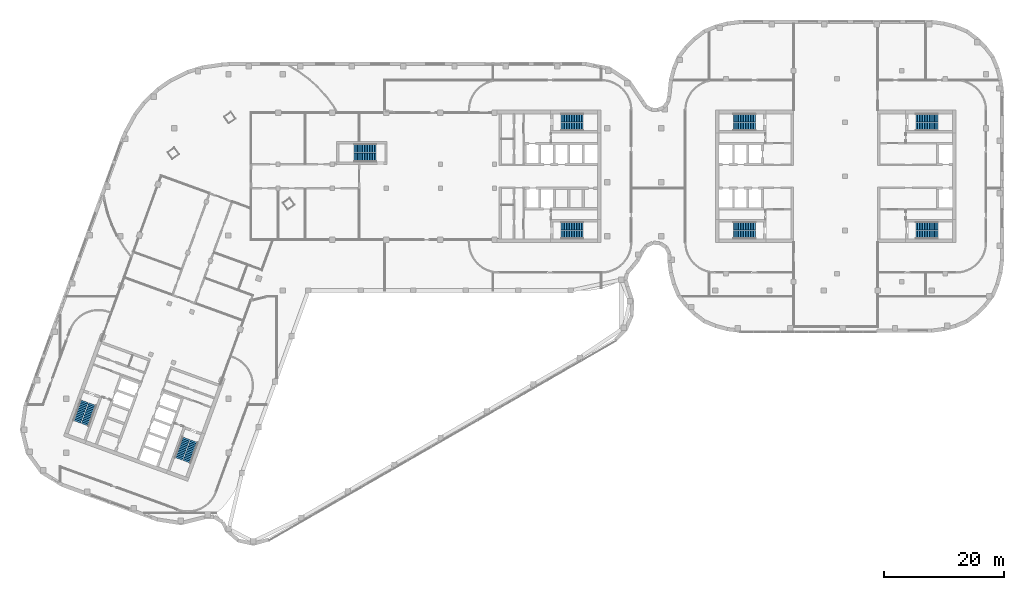
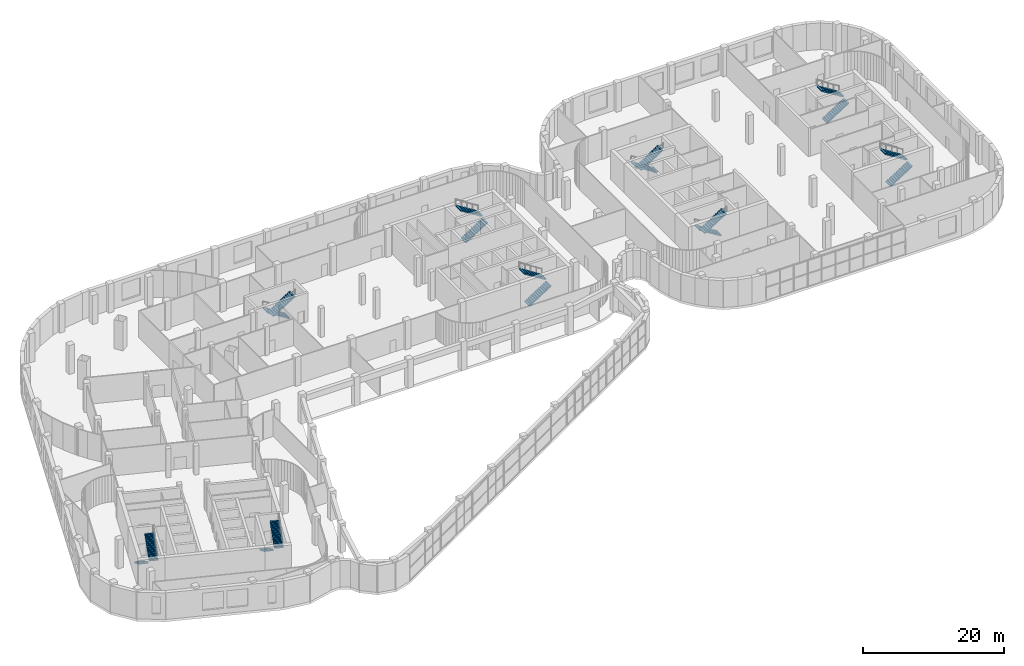
# One storey, part 23 of 25: 18 stair flights, 9 elements without a shape of their own.
"""IFC4 building model written with IfcOpenShell, lengths in metres."""

from ifc_helpers import new_model, si_unit, direction, frame, origin, place, context, subcontext, project, spatial, polyline, outline, extrude, material, type_object, element, aggregate, save


model = new_model("IFC4")

# Units and contexts
model_context = context("Model", 3, precision=1e-05, world=origin(), true_north=direction((0.0, 1.0)))
body_context = subcontext(model_context, "Body", "Model", "MODEL_VIEW")
ifc_project = project(units=[si_unit("LENGTHUNIT", "METRE"), si_unit("AREAUNIT", "SQUARE_METRE"), si_unit("VOLUMEUNIT", "CUBIC_METRE"), si_unit("PLANEANGLEUNIT", "RADIAN"), si_unit("MASSUNIT", "GRAM", prefix="KILO")], contexts=[model_context])

# Site, building, storey
site_placement = place(None, origin())
site = spatial("IfcSite", under=ifc_project, at=site_placement, CompositionType="ELEMENT")
building_placement = place(site_placement, origin())
building = spatial("IfcBuilding", under=site, at=building_placement, Name="Skarvind Civic Tower", CompositionType="ELEMENT")
storey_placement = place(building_placement, frame((0.0, 0.0, 7.5)))
storey = spatial("IfcBuildingStorey", under=building, at=storey_placement, Name="L01", CompositionType="ELEMENT", Elevation=7.5)

# Stair, stair flights
ifc_material = material(Name="Concrete C40/50", Category="concrete")
stair_type_1 = type_object("IfcStairType", Name="Exit stair 1450, half-turn, concrete", PredefinedType="HALF_TURN_STAIR", material=ifc_material)
stair_1_placement = place(storey_placement, origin())
stair_1 = element("IfcStair", 1, at=stair_1_placement, inside=storey, type_object=stair_type_1, Name="Exit stair CM", PredefinedType="HALF_TURN_STAIR")
stair_flight_type_1 = type_object("IfcStairFlightType", Name="Stair flight 1450, concrete", PredefinedType="STRAIGHT", material=ifc_material)
stair_flight_1_placement = place(storey_placement, frame((70.550048828125, 132.675048828125, 0.0), z_axis=(0.0, 0.0, 1.0), x_axis=(-1.0, 0.0, 0.0)))
stair_flight_1 = element("IfcStairFlight", 2, at=stair_flight_1_placement, type_object=stair_flight_type_1, Name="ST-CM flight 1", NumberOfRisers=14, NumberOfTreads=13, PredefinedType="STRAIGHT", RiserHeight=0.178571429, TreadLength=0.28, context=body_context, shape_type="SweptSolid", body=[
    extrude(outline(polyline([(0.0, 0.0), (0.0, 0.178466796875), (0.280029296875, 0.178466796875), (0.280029296875, 0.357177734375), (0.56005859375, 0.357177734375), (0.56005859375, 0.53564453125), (0.840087890625, 0.53564453125), (0.840087890625, 0.71435546875), (1.1201171875, 0.71435546875), (1.1201171875, 0.892822265625), (1.39990234375, 0.892822265625), (1.39990234375, 1.071533203125), (1.679931640625, 1.071533203125), (1.679931640625, 1.25), (1.9599609375, 1.25), (1.9599609375, 1.428466796875), (2.239990234375, 1.428466796875), (2.239990234375, 1.607177734375), (2.52001953125, 1.607177734375), (2.52001953125, 1.78564453125), (2.800048828125, 1.78564453125), (2.800048828125, 1.96435546875), (3.080078125, 1.96435546875), (3.080078125, 2.142822265625), (3.360107421875, 2.142822265625), (3.360107421875, 2.321533203125), (3.639892578125, 2.321533203125), (3.639892578125, 2.5), (3.639892578125, 2.1435546875), (0.27880859375, 0.0), (0.0, 0.0)])), frame((0.0, 0.72509765625, 0.0), z_axis=(0.0, -1.0, 0.0), x_axis=(1.0, 0.0, 0.0)), (0.0, 0.0, 1.0), 1.449951171875),
])
stair_flight_2_placement = place(storey_placement, frame((66.909912109375, 131.125, 2.5), z_axis=(0.0, 0.0, 1.0), x_axis=(1.0, 0.0, 0.0)))
stair_flight_2 = element("IfcStairFlight", 3, at=stair_flight_2_placement, type_object=stair_flight_type_1, Name="ST-CM flight 2", NumberOfRisers=14, NumberOfTreads=13, PredefinedType="STRAIGHT", RiserHeight=0.178571429, TreadLength=0.28, context=body_context, shape_type="SweptSolid", body=[
    extrude(outline(polyline([(0.0, 0.0), (0.0, 0.178466796875), (0.280029296875, 0.178466796875), (0.280029296875, 0.357177734375), (0.56005859375, 0.357177734375), (0.56005859375, 0.53564453125), (0.840087890625, 0.53564453125), (0.840087890625, 0.71435546875), (1.1201171875, 0.71435546875), (1.1201171875, 0.892822265625), (1.39990234375, 0.892822265625), (1.39990234375, 1.071533203125), (1.679931640625, 1.071533203125), (1.679931640625, 1.25), (1.9599609375, 1.25), (1.9599609375, 1.428466796875), (2.239990234375, 1.428466796875), (2.239990234375, 1.607177734375), (2.52001953125, 1.607177734375), (2.52001953125, 1.78564453125), (2.800048828125, 1.78564453125), (2.800048828125, 1.96435546875), (3.080078125, 1.96435546875), (3.080078125, 2.142822265625), (3.360107421875, 2.142822265625), (3.360107421875, 2.321533203125), (3.639892578125, 2.321533203125), (3.639892578125, 2.5), (3.639892578125, 2.1435546875), (0.27880859375, 0.0), (0.0, 0.0)])), frame((0.0, 0.72509765625, 0.0), z_axis=(0.0, -1.0, 0.0), x_axis=(1.0, 0.0, 0.0)), (0.0, 0.0, 1.0), 1.449951171875),
])
aggregate(stair_1, [stair_flight_1, stair_flight_2])

stair_type_2 = type_object("IfcStairType", Name="Exit stair, half-turn, concrete", PredefinedType="HALF_TURN_STAIR", material=ifc_material)
stair_2_placement = place(storey_placement, origin())
stair_2 = element("IfcStair", 4, at=stair_2_placement, inside=storey, type_object=stair_type_2, Name="Exit stair C1S", PredefinedType="HALF_TURN_STAIR")
stair_flight_type_2 = type_object("IfcStairFlightType", Name="Stair flight, concrete", PredefinedType="STRAIGHT", material=ifc_material)
stair_flight_3_placement = place(storey_placement, frame((101.35009765625, 136.27490234375, 0.0), z_axis=(0.0, 0.0, 1.0), x_axis=(1.0, 0.0, 0.0)))
stair_flight_3 = element("IfcStairFlight", 5, at=stair_flight_3_placement, type_object=stair_flight_type_2, Name="ST-C1S flight 1", NumberOfRisers=14, NumberOfTreads=13, PredefinedType="STRAIGHT", RiserHeight=0.178571429, TreadLength=0.28, context=body_context, shape_type="SweptSolid", body=[
    extrude(outline(polyline([(0.0, 0.0), (0.0, 0.178466796875), (0.280029296875, 0.178466796875), (0.280029296875, 0.357177734375), (0.56005859375, 0.357177734375), (0.56005859375, 0.53564453125), (0.840087890625, 0.53564453125), (0.840087890625, 0.71435546875), (1.1201171875, 0.71435546875), (1.1201171875, 0.892822265625), (1.39990234375, 0.892822265625), (1.39990234375, 1.071533203125), (1.679931640625, 1.071533203125), (1.679931640625, 1.25), (1.9599609375, 1.25), (1.9599609375, 1.428466796875), (2.239990234375, 1.428466796875), (2.239990234375, 1.607177734375), (2.52001953125, 1.607177734375), (2.52001953125, 1.78564453125), (2.800048828125, 1.78564453125), (2.800048828125, 1.96435546875), (3.080078125, 1.96435546875), (3.080078125, 2.142822265625), (3.360107421875, 2.142822265625), (3.360107421875, 2.321533203125), (3.639892578125, 2.321533203125), (3.639892578125, 2.5), (3.639892578125, 2.1435546875), (0.27880859375, 0.0), (0.0, 0.0)])), frame((0.0, 0.675048828125, 0.0), z_axis=(0.0, -1.0, 0.0), x_axis=(1.0, 0.0, 0.0)), (0.0, 0.0, 1.0), 1.35009765625),
])
stair_flight_4_placement = place(storey_placement, frame((104.989990234375, 137.72509765625, 2.5), z_axis=(0.0, 0.0, 1.0), x_axis=(-1.0, 0.0, 0.0)))
stair_flight_4 = element("IfcStairFlight", 6, at=stair_flight_4_placement, type_object=stair_flight_type_2, Name="ST-C1S flight 2", NumberOfRisers=14, NumberOfTreads=13, PredefinedType="STRAIGHT", RiserHeight=0.178571429, TreadLength=0.28, context=body_context, shape_type="SweptSolid", body=[
    extrude(outline(polyline([(0.0, 0.0), (0.0, 0.178466796875), (0.280029296875, 0.178466796875), (0.280029296875, 0.357177734375), (0.56005859375, 0.357177734375), (0.56005859375, 0.53564453125), (0.840087890625, 0.53564453125), (0.840087890625, 0.71435546875), (1.1201171875, 0.71435546875), (1.1201171875, 0.892822265625), (1.39990234375, 0.892822265625), (1.39990234375, 1.071533203125), (1.679931640625, 1.071533203125), (1.679931640625, 1.25), (1.9599609375, 1.25), (1.9599609375, 1.428466796875), (2.239990234375, 1.428466796875), (2.239990234375, 1.607177734375), (2.52001953125, 1.607177734375), (2.52001953125, 1.78564453125), (2.800048828125, 1.78564453125), (2.800048828125, 1.96435546875), (3.080078125, 1.96435546875), (3.080078125, 2.142822265625), (3.360107421875, 2.142822265625), (3.360107421875, 2.321533203125), (3.639892578125, 2.321533203125), (3.639892578125, 2.5), (3.639892578125, 2.1435546875), (0.27880859375, 0.0), (0.0, 0.0)])), frame((0.0, 0.675048828125, 0.0), z_axis=(0.0, -1.0, 0.0), x_axis=(1.0, 0.0, 0.0)), (0.0, 0.0, 1.0), 1.35009765625),
])
aggregate(stair_2, [stair_flight_3, stair_flight_4])

stair_3_placement = place(storey_placement, origin())
stair_3 = element("IfcStair", 7, at=stair_3_placement, inside=storey, type_object=stair_type_2, Name="Exit stair C1N", PredefinedType="HALF_TURN_STAIR")
stair_flight_5_placement = place(storey_placement, frame((101.35009765625, 118.27490234375, 0.0), z_axis=(0.0, 0.0, 1.0), x_axis=(1.0, 0.0, 0.0)))
stair_flight_5 = element("IfcStairFlight", 8, at=stair_flight_5_placement, type_object=stair_flight_type_2, Name="ST-C1N flight 1", NumberOfRisers=14, NumberOfTreads=13, PredefinedType="STRAIGHT", RiserHeight=0.178571429, TreadLength=0.28, context=body_context, shape_type="SweptSolid", body=[
    extrude(outline(polyline([(0.0, 0.0), (0.0, 0.178466796875), (0.280029296875, 0.178466796875), (0.280029296875, 0.357177734375), (0.56005859375, 0.357177734375), (0.56005859375, 0.53564453125), (0.840087890625, 0.53564453125), (0.840087890625, 0.71435546875), (1.1201171875, 0.71435546875), (1.1201171875, 0.892822265625), (1.39990234375, 0.892822265625), (1.39990234375, 1.071533203125), (1.679931640625, 1.071533203125), (1.679931640625, 1.25), (1.9599609375, 1.25), (1.9599609375, 1.428466796875), (2.239990234375, 1.428466796875), (2.239990234375, 1.607177734375), (2.52001953125, 1.607177734375), (2.52001953125, 1.78564453125), (2.800048828125, 1.78564453125), (2.800048828125, 1.96435546875), (3.080078125, 1.96435546875), (3.080078125, 2.142822265625), (3.360107421875, 2.142822265625), (3.360107421875, 2.321533203125), (3.639892578125, 2.321533203125), (3.639892578125, 2.5), (3.639892578125, 2.1435546875), (0.27880859375, 0.0), (0.0, 0.0)])), frame((0.0, 0.675048828125, 0.0), z_axis=(0.0, -1.0, 0.0), x_axis=(1.0, 0.0, 0.0)), (0.0, 0.0, 1.0), 1.35009765625),
])
stair_flight_6_placement = place(storey_placement, frame((104.989990234375, 119.72509765625, 2.5), z_axis=(0.0, 0.0, 1.0), x_axis=(-1.0, 0.0, 0.0)))
stair_flight_6 = element("IfcStairFlight", 9, at=stair_flight_6_placement, type_object=stair_flight_type_2, Name="ST-C1N flight 2", NumberOfRisers=14, NumberOfTreads=13, PredefinedType="STRAIGHT", RiserHeight=0.178571429, TreadLength=0.28, context=body_context, shape_type="SweptSolid", body=[
    extrude(outline(polyline([(0.0, 0.0), (0.0, 0.178466796875), (0.280029296875, 0.178466796875), (0.280029296875, 0.357177734375), (0.56005859375, 0.357177734375), (0.56005859375, 0.53564453125), (0.840087890625, 0.53564453125), (0.840087890625, 0.71435546875), (1.1201171875, 0.71435546875), (1.1201171875, 0.892822265625), (1.39990234375, 0.892822265625), (1.39990234375, 1.071533203125), (1.679931640625, 1.071533203125), (1.679931640625, 1.25), (1.9599609375, 1.25), (1.9599609375, 1.428466796875), (2.239990234375, 1.428466796875), (2.239990234375, 1.607177734375), (2.52001953125, 1.607177734375), (2.52001953125, 1.78564453125), (2.800048828125, 1.78564453125), (2.800048828125, 1.96435546875), (3.080078125, 1.96435546875), (3.080078125, 2.142822265625), (3.360107421875, 2.142822265625), (3.360107421875, 2.321533203125), (3.639892578125, 2.321533203125), (3.639892578125, 2.5), (3.639892578125, 2.1435546875), (0.27880859375, 0.0), (0.0, 0.0)])), frame((0.0, 0.675048828125, 0.0), z_axis=(0.0, -1.0, 0.0), x_axis=(1.0, 0.0, 0.0)), (0.0, 0.0, 1.0), 1.35009765625),
])
aggregate(stair_3, [stair_flight_5, stair_flight_6])

stair_4_placement = place(storey_placement, origin())
stair_4 = element("IfcStair", 10, at=stair_4_placement, inside=storey, type_object=stair_type_2, Name="Exit stair C2S", PredefinedType="HALF_TURN_STAIR")
stair_flight_7_placement = place(storey_placement, frame((38.949462890625, 84.43408203125, 0.0), z_axis=(0.0, 0.0, 1.0), x_axis=(-0.342020143326, -0.939692620786, 0.0)))
stair_flight_7 = element("IfcStairFlight", 11, at=stair_flight_7_placement, type_object=stair_flight_type_2, Name="ST-C2S flight 1", NumberOfRisers=14, NumberOfTreads=13, PredefinedType="STRAIGHT", RiserHeight=0.178571429, TreadLength=0.28, context=body_context, shape_type="SweptSolid", body=[
    extrude(outline(polyline([(0.0, 0.0), (0.0, 0.178466796875), (0.280029296875, 0.178466796875), (0.280029296875, 0.357177734375), (0.56005859375, 0.357177734375), (0.56005859375, 0.53564453125), (0.840087890625, 0.53564453125), (0.840087890625, 0.71435546875), (1.1201171875, 0.71435546875), (1.1201171875, 0.892822265625), (1.39990234375, 0.892822265625), (1.39990234375, 1.071533203125), (1.679931640625, 1.071533203125), (1.679931640625, 1.25), (1.9599609375, 1.25), (1.9599609375, 1.428466796875), (2.239990234375, 1.428466796875), (2.239990234375, 1.607177734375), (2.52001953125, 1.607177734375), (2.52001953125, 1.78564453125), (2.800048828125, 1.78564453125), (2.800048828125, 1.96435546875), (3.080078125, 1.96435546875), (3.080078125, 2.142822265625), (3.360107421875, 2.142822265625), (3.360107421875, 2.321533203125), (3.639892578125, 2.321533203125), (3.639892578125, 2.5), (3.639892578125, 2.1435546875), (0.27880859375, 0.0), (0.0, 0.0)])), frame((0.0, 0.675048828125, 0.0), z_axis=(0.0, -1.0, 0.0), x_axis=(1.0, 0.0, 0.0)), (0.0, 0.0, 1.0), 1.35009765625),
])
stair_flight_8_placement = place(storey_placement, frame((39.06689453125, 80.517578125, 2.5), z_axis=(0.0, 0.0, 1.0), x_axis=(0.342020143326, 0.939692620786, 0.0)))
stair_flight_8 = element("IfcStairFlight", 12, at=stair_flight_8_placement, type_object=stair_flight_type_2, Name="ST-C2S flight 2", NumberOfRisers=14, NumberOfTreads=13, PredefinedType="STRAIGHT", RiserHeight=0.178571429, TreadLength=0.28, context=body_context, shape_type="SweptSolid", body=[
    extrude(outline(polyline([(0.0, 0.0), (0.0, 0.178466796875), (0.280029296875, 0.178466796875), (0.280029296875, 0.357177734375), (0.56005859375, 0.357177734375), (0.56005859375, 0.53564453125), (0.840087890625, 0.53564453125), (0.840087890625, 0.71435546875), (1.1201171875, 0.71435546875), (1.1201171875, 0.892822265625), (1.39990234375, 0.892822265625), (1.39990234375, 1.071533203125), (1.679931640625, 1.071533203125), (1.679931640625, 1.25), (1.9599609375, 1.25), (1.9599609375, 1.428466796875), (2.239990234375, 1.428466796875), (2.239990234375, 1.607177734375), (2.52001953125, 1.607177734375), (2.52001953125, 1.78564453125), (2.800048828125, 1.78564453125), (2.800048828125, 1.96435546875), (3.080078125, 1.96435546875), (3.080078125, 2.142822265625), (3.360107421875, 2.142822265625), (3.360107421875, 2.321533203125), (3.639892578125, 2.321533203125), (3.639892578125, 2.5), (3.639892578125, 2.1435546875), (0.27880859375, 0.0), (0.0, 0.0)])), frame((0.0, 0.675048828125, 0.0), z_axis=(0.0, -1.0, 0.0), x_axis=(1.0, 0.0, 0.0)), (0.0, 0.0, 1.0), 1.35009765625),
])
aggregate(stair_4, [stair_flight_7, stair_flight_8])

stair_5_placement = place(storey_placement, origin())
stair_5 = element("IfcStair", 13, at=stair_5_placement, inside=storey, type_object=stair_type_2, Name="Exit stair C2N", PredefinedType="HALF_TURN_STAIR")
stair_flight_9_placement = place(storey_placement, frame((22.034912109375, 90.590576171875, 0.0), z_axis=(0.0, 0.0, 1.0), x_axis=(-0.342020143326, -0.939692620786, 0.0)))
stair_flight_9 = element("IfcStairFlight", 14, at=stair_flight_9_placement, type_object=stair_flight_type_2, Name="ST-C2N flight 1", NumberOfRisers=14, NumberOfTreads=13, PredefinedType="STRAIGHT", RiserHeight=0.178571429, TreadLength=0.28, context=body_context, shape_type="SweptSolid", body=[
    extrude(outline(polyline([(0.0, 0.0), (0.0, 0.178466796875), (0.280029296875, 0.178466796875), (0.280029296875, 0.357177734375), (0.56005859375, 0.357177734375), (0.56005859375, 0.53564453125), (0.840087890625, 0.53564453125), (0.840087890625, 0.71435546875), (1.1201171875, 0.71435546875), (1.1201171875, 0.892822265625), (1.39990234375, 0.892822265625), (1.39990234375, 1.071533203125), (1.679931640625, 1.071533203125), (1.679931640625, 1.25), (1.9599609375, 1.25), (1.9599609375, 1.428466796875), (2.239990234375, 1.428466796875), (2.239990234375, 1.607177734375), (2.52001953125, 1.607177734375), (2.52001953125, 1.78564453125), (2.800048828125, 1.78564453125), (2.800048828125, 1.96435546875), (3.080078125, 1.96435546875), (3.080078125, 2.142822265625), (3.360107421875, 2.142822265625), (3.360107421875, 2.321533203125), (3.639892578125, 2.321533203125), (3.639892578125, 2.5), (3.639892578125, 2.1435546875), (0.27880859375, 0.0), (0.0, 0.0)])), frame((0.0, 0.675048828125, 0.0), z_axis=(0.0, -1.0, 0.0), x_axis=(1.0, 0.0, 0.0)), (0.0, 0.0, 1.0), 1.35009765625),
])
stair_flight_10_placement = place(storey_placement, frame((22.152587890625, 86.674072265625, 2.5), z_axis=(0.0, 0.0, 1.0), x_axis=(0.342020143326, 0.939692620786, 0.0)))
stair_flight_10 = element("IfcStairFlight", 15, at=stair_flight_10_placement, type_object=stair_flight_type_2, Name="ST-C2N flight 2", NumberOfRisers=14, NumberOfTreads=13, PredefinedType="STRAIGHT", RiserHeight=0.178571429, TreadLength=0.28, context=body_context, shape_type="SweptSolid", body=[
    extrude(outline(polyline([(0.0, 0.0), (0.0, 0.178466796875), (0.280029296875, 0.178466796875), (0.280029296875, 0.357177734375), (0.56005859375, 0.357177734375), (0.56005859375, 0.53564453125), (0.840087890625, 0.53564453125), (0.840087890625, 0.71435546875), (1.1201171875, 0.71435546875), (1.1201171875, 0.892822265625), (1.39990234375, 0.892822265625), (1.39990234375, 1.071533203125), (1.679931640625, 1.071533203125), (1.679931640625, 1.25), (1.9599609375, 1.25), (1.9599609375, 1.428466796875), (2.239990234375, 1.428466796875), (2.239990234375, 1.607177734375), (2.52001953125, 1.607177734375), (2.52001953125, 1.78564453125), (2.800048828125, 1.78564453125), (2.800048828125, 1.96435546875), (3.080078125, 1.96435546875), (3.080078125, 2.142822265625), (3.360107421875, 2.142822265625), (3.360107421875, 2.321533203125), (3.639892578125, 2.321533203125), (3.639892578125, 2.5), (3.639892578125, 2.1435546875), (0.27880859375, 0.0), (0.0, 0.0)])), frame((0.0, 0.675048828125, 0.0), z_axis=(0.0, -1.0, 0.0), x_axis=(1.0, 0.0, 0.0)), (0.0, 0.0, 1.0), 1.35009765625),
])
aggregate(stair_5, [stair_flight_9, stair_flight_10])

stair_6_placement = place(storey_placement, origin())
stair_6 = element("IfcStair", 16, at=stair_6_placement, inside=storey, type_object=stair_type_2, Name="Exit stair CAS", PredefinedType="HALF_TURN_STAIR")
stair_flight_11_placement = place(storey_placement, frame((133.64990234375, 119.72509765625, 0.0), z_axis=(0.0, 0.0, 1.0), x_axis=(-1.0, 0.0, 0.0)))
stair_flight_11 = element("IfcStairFlight", 17, at=stair_flight_11_placement, type_object=stair_flight_type_2, Name="ST-CAS flight 1", NumberOfRisers=14, NumberOfTreads=13, PredefinedType="STRAIGHT", RiserHeight=0.178571429, TreadLength=0.28, context=body_context, shape_type="SweptSolid", body=[
    extrude(outline(polyline([(0.0, 0.0), (0.0, 0.178466796875), (0.280029296875, 0.178466796875), (0.280029296875, 0.357177734375), (0.56005859375, 0.357177734375), (0.56005859375, 0.53564453125), (0.840087890625, 0.53564453125), (0.840087890625, 0.71435546875), (1.1201171875, 0.71435546875), (1.1201171875, 0.892822265625), (1.39990234375, 0.892822265625), (1.39990234375, 1.071533203125), (1.679931640625, 1.071533203125), (1.679931640625, 1.25), (1.9599609375, 1.25), (1.9599609375, 1.428466796875), (2.239990234375, 1.428466796875), (2.239990234375, 1.607177734375), (2.52001953125, 1.607177734375), (2.52001953125, 1.78564453125), (2.800048828125, 1.78564453125), (2.800048828125, 1.96435546875), (3.080078125, 1.96435546875), (3.080078125, 2.142822265625), (3.360107421875, 2.142822265625), (3.360107421875, 2.321533203125), (3.639892578125, 2.321533203125), (3.639892578125, 2.5), (3.639892578125, 2.1435546875), (0.27880859375, 0.0), (0.0, 0.0)])), frame((0.0, 0.675048828125, 0.0), z_axis=(0.0, -1.0, 0.0), x_axis=(1.0, 0.0, 0.0)), (0.0, 0.0, 1.0), 1.35009765625),
])
stair_flight_12_placement = place(storey_placement, frame((130.010009765625, 118.27490234375, 2.5), z_axis=(0.0, 0.0, 1.0), x_axis=(1.0, 0.0, 0.0)))
stair_flight_12 = element("IfcStairFlight", 18, at=stair_flight_12_placement, type_object=stair_flight_type_2, Name="ST-CAS flight 2", NumberOfRisers=14, NumberOfTreads=13, PredefinedType="STRAIGHT", RiserHeight=0.178571429, TreadLength=0.28, context=body_context, shape_type="SweptSolid", body=[
    extrude(outline(polyline([(0.0, 0.0), (0.0, 0.178466796875), (0.280029296875, 0.178466796875), (0.280029296875, 0.357177734375), (0.56005859375, 0.357177734375), (0.56005859375, 0.53564453125), (0.840087890625, 0.53564453125), (0.840087890625, 0.71435546875), (1.1201171875, 0.71435546875), (1.1201171875, 0.892822265625), (1.39990234375, 0.892822265625), (1.39990234375, 1.071533203125), (1.679931640625, 1.071533203125), (1.679931640625, 1.25), (1.9599609375, 1.25), (1.9599609375, 1.428466796875), (2.239990234375, 1.428466796875), (2.239990234375, 1.607177734375), (2.52001953125, 1.607177734375), (2.52001953125, 1.78564453125), (2.800048828125, 1.78564453125), (2.800048828125, 1.96435546875), (3.080078125, 1.96435546875), (3.080078125, 2.142822265625), (3.360107421875, 2.142822265625), (3.360107421875, 2.321533203125), (3.639892578125, 2.321533203125), (3.639892578125, 2.5), (3.639892578125, 2.1435546875), (0.27880859375, 0.0), (0.0, 0.0)])), frame((0.0, 0.675048828125, 0.0), z_axis=(0.0, -1.0, 0.0), x_axis=(1.0, 0.0, 0.0)), (0.0, 0.0, 1.0), 1.35009765625),
])
aggregate(stair_6, [stair_flight_11, stair_flight_12])

stair_7_placement = place(storey_placement, origin())
stair_7 = element("IfcStair", 19, at=stair_7_placement, inside=storey, type_object=stair_type_2, Name="Exit stair CAN", PredefinedType="HALF_TURN_STAIR")
stair_flight_13_placement = place(storey_placement, frame((133.64990234375, 137.72509765625, 0.0), z_axis=(0.0, 0.0, 1.0), x_axis=(-1.0, 0.0, 0.0)))
stair_flight_13 = element("IfcStairFlight", 20, at=stair_flight_13_placement, type_object=stair_flight_type_2, Name="ST-CAN flight 1", NumberOfRisers=14, NumberOfTreads=13, PredefinedType="STRAIGHT", RiserHeight=0.178571429, TreadLength=0.28, context=body_context, shape_type="SweptSolid", body=[
    extrude(outline(polyline([(0.0, 0.0), (0.0, 0.178466796875), (0.280029296875, 0.178466796875), (0.280029296875, 0.357177734375), (0.56005859375, 0.357177734375), (0.56005859375, 0.53564453125), (0.840087890625, 0.53564453125), (0.840087890625, 0.71435546875), (1.1201171875, 0.71435546875), (1.1201171875, 0.892822265625), (1.39990234375, 0.892822265625), (1.39990234375, 1.071533203125), (1.679931640625, 1.071533203125), (1.679931640625, 1.25), (1.9599609375, 1.25), (1.9599609375, 1.428466796875), (2.239990234375, 1.428466796875), (2.239990234375, 1.607177734375), (2.52001953125, 1.607177734375), (2.52001953125, 1.78564453125), (2.800048828125, 1.78564453125), (2.800048828125, 1.96435546875), (3.080078125, 1.96435546875), (3.080078125, 2.142822265625), (3.360107421875, 2.142822265625), (3.360107421875, 2.321533203125), (3.639892578125, 2.321533203125), (3.639892578125, 2.5), (3.639892578125, 2.1435546875), (0.27880859375, 0.0), (0.0, 0.0)])), frame((0.0, 0.675048828125, 0.0), z_axis=(0.0, -1.0, 0.0), x_axis=(1.0, 0.0, 0.0)), (0.0, 0.0, 1.0), 1.35009765625),
])
stair_flight_14_placement = place(storey_placement, frame((130.010009765625, 136.27490234375, 2.5), z_axis=(0.0, 0.0, 1.0), x_axis=(1.0, 0.0, 0.0)))
stair_flight_14 = element("IfcStairFlight", 21, at=stair_flight_14_placement, type_object=stair_flight_type_2, Name="ST-CAN flight 2", NumberOfRisers=14, NumberOfTreads=13, PredefinedType="STRAIGHT", RiserHeight=0.178571429, TreadLength=0.28, context=body_context, shape_type="SweptSolid", body=[
    extrude(outline(polyline([(0.0, 0.0), (0.0, 0.178466796875), (0.280029296875, 0.178466796875), (0.280029296875, 0.357177734375), (0.56005859375, 0.357177734375), (0.56005859375, 0.53564453125), (0.840087890625, 0.53564453125), (0.840087890625, 0.71435546875), (1.1201171875, 0.71435546875), (1.1201171875, 0.892822265625), (1.39990234375, 0.892822265625), (1.39990234375, 1.071533203125), (1.679931640625, 1.071533203125), (1.679931640625, 1.25), (1.9599609375, 1.25), (1.9599609375, 1.428466796875), (2.239990234375, 1.428466796875), (2.239990234375, 1.607177734375), (2.52001953125, 1.607177734375), (2.52001953125, 1.78564453125), (2.800048828125, 1.78564453125), (2.800048828125, 1.96435546875), (3.080078125, 1.96435546875), (3.080078125, 2.142822265625), (3.360107421875, 2.142822265625), (3.360107421875, 2.321533203125), (3.639892578125, 2.321533203125), (3.639892578125, 2.5), (3.639892578125, 2.1435546875), (0.27880859375, 0.0), (0.0, 0.0)])), frame((0.0, 0.675048828125, 0.0), z_axis=(0.0, -1.0, 0.0), x_axis=(1.0, 0.0, 0.0)), (0.0, 0.0, 1.0), 1.35009765625),
])
aggregate(stair_7, [stair_flight_13, stair_flight_14])

stair_8_placement = place(storey_placement, origin())
stair_8 = element("IfcStair", 22, at=stair_8_placement, inside=storey, type_object=stair_type_2, Name="Exit stair CBS", PredefinedType="HALF_TURN_STAIR")
stair_flight_15_placement = place(storey_placement, frame((160.35009765625, 136.27490234375, 0.0), z_axis=(0.0, 0.0, 1.0), x_axis=(1.0, 0.0, 0.0)))
stair_flight_15 = element("IfcStairFlight", 23, at=stair_flight_15_placement, type_object=stair_flight_type_2, Name="ST-CBS flight 1", NumberOfRisers=14, NumberOfTreads=13, PredefinedType="STRAIGHT", RiserHeight=0.178571429, TreadLength=0.28, context=body_context, shape_type="SweptSolid", body=[
    extrude(outline(polyline([(0.0, 0.0), (0.0, 0.178466796875), (0.280029296875, 0.178466796875), (0.280029296875, 0.357177734375), (0.56005859375, 0.357177734375), (0.56005859375, 0.53564453125), (0.840087890625, 0.53564453125), (0.840087890625, 0.71435546875), (1.1201171875, 0.71435546875), (1.1201171875, 0.892822265625), (1.39990234375, 0.892822265625), (1.39990234375, 1.071533203125), (1.679931640625, 1.071533203125), (1.679931640625, 1.25), (1.9599609375, 1.25), (1.9599609375, 1.428466796875), (2.239990234375, 1.428466796875), (2.239990234375, 1.607177734375), (2.52001953125, 1.607177734375), (2.52001953125, 1.78564453125), (2.800048828125, 1.78564453125), (2.800048828125, 1.96435546875), (3.080078125, 1.96435546875), (3.080078125, 2.142822265625), (3.360107421875, 2.142822265625), (3.360107421875, 2.321533203125), (3.639892578125, 2.321533203125), (3.639892578125, 2.5), (3.639892578125, 2.1435546875), (0.27880859375, 0.0), (0.0, 0.0)])), frame((0.0, 0.675048828125, 0.0), z_axis=(0.0, -1.0, 0.0), x_axis=(1.0, 0.0, 0.0)), (0.0, 0.0, 1.0), 1.35009765625),
])
stair_flight_16_placement = place(storey_placement, frame((163.989990234375, 137.72509765625, 2.5), z_axis=(0.0, 0.0, 1.0), x_axis=(-1.0, 0.0, 0.0)))
stair_flight_16 = element("IfcStairFlight", 24, at=stair_flight_16_placement, type_object=stair_flight_type_2, Name="ST-CBS flight 2", NumberOfRisers=14, NumberOfTreads=13, PredefinedType="STRAIGHT", RiserHeight=0.178571429, TreadLength=0.28, context=body_context, shape_type="SweptSolid", body=[
    extrude(outline(polyline([(0.0, 0.0), (0.0, 0.178466796875), (0.280029296875, 0.178466796875), (0.280029296875, 0.357177734375), (0.56005859375, 0.357177734375), (0.56005859375, 0.53564453125), (0.840087890625, 0.53564453125), (0.840087890625, 0.71435546875), (1.1201171875, 0.71435546875), (1.1201171875, 0.892822265625), (1.39990234375, 0.892822265625), (1.39990234375, 1.071533203125), (1.679931640625, 1.071533203125), (1.679931640625, 1.25), (1.9599609375, 1.25), (1.9599609375, 1.428466796875), (2.239990234375, 1.428466796875), (2.239990234375, 1.607177734375), (2.52001953125, 1.607177734375), (2.52001953125, 1.78564453125), (2.800048828125, 1.78564453125), (2.800048828125, 1.96435546875), (3.080078125, 1.96435546875), (3.080078125, 2.142822265625), (3.360107421875, 2.142822265625), (3.360107421875, 2.321533203125), (3.639892578125, 2.321533203125), (3.639892578125, 2.5), (3.639892578125, 2.1435546875), (0.27880859375, 0.0), (0.0, 0.0)])), frame((0.0, 0.675048828125, 0.0), z_axis=(0.0, -1.0, 0.0), x_axis=(1.0, 0.0, 0.0)), (0.0, 0.0, 1.0), 1.35009765625),
])
aggregate(stair_8, [stair_flight_15, stair_flight_16])

stair_9_placement = place(storey_placement, origin())
stair_9 = element("IfcStair", 25, at=stair_9_placement, inside=storey, type_object=stair_type_2, Name="Exit stair CBN", PredefinedType="HALF_TURN_STAIR")
stair_flight_17_placement = place(storey_placement, frame((160.35009765625, 118.27490234375, 0.0), z_axis=(0.0, 0.0, 1.0), x_axis=(1.0, 0.0, 0.0)))
stair_flight_17 = element("IfcStairFlight", 26, at=stair_flight_17_placement, type_object=stair_flight_type_2, Name="ST-CBN flight 1", NumberOfRisers=14, NumberOfTreads=13, PredefinedType="STRAIGHT", RiserHeight=0.178571429, TreadLength=0.28, context=body_context, shape_type="SweptSolid", body=[
    extrude(outline(polyline([(0.0, 0.0), (0.0, 0.178466796875), (0.280029296875, 0.178466796875), (0.280029296875, 0.357177734375), (0.56005859375, 0.357177734375), (0.56005859375, 0.53564453125), (0.840087890625, 0.53564453125), (0.840087890625, 0.71435546875), (1.1201171875, 0.71435546875), (1.1201171875, 0.892822265625), (1.39990234375, 0.892822265625), (1.39990234375, 1.071533203125), (1.679931640625, 1.071533203125), (1.679931640625, 1.25), (1.9599609375, 1.25), (1.9599609375, 1.428466796875), (2.239990234375, 1.428466796875), (2.239990234375, 1.607177734375), (2.52001953125, 1.607177734375), (2.52001953125, 1.78564453125), (2.800048828125, 1.78564453125), (2.800048828125, 1.96435546875), (3.080078125, 1.96435546875), (3.080078125, 2.142822265625), (3.360107421875, 2.142822265625), (3.360107421875, 2.321533203125), (3.639892578125, 2.321533203125), (3.639892578125, 2.5), (3.639892578125, 2.1435546875), (0.27880859375, 0.0), (0.0, 0.0)])), frame((0.0, 0.675048828125, 0.0), z_axis=(0.0, -1.0, 0.0), x_axis=(1.0, 0.0, 0.0)), (0.0, 0.0, 1.0), 1.35009765625),
])
stair_flight_18_placement = place(storey_placement, frame((163.989990234375, 119.72509765625, 2.5), z_axis=(0.0, 0.0, 1.0), x_axis=(-1.0, 0.0, 0.0)))
stair_flight_18 = element("IfcStairFlight", 27, at=stair_flight_18_placement, type_object=stair_flight_type_2, Name="ST-CBN flight 2", NumberOfRisers=14, NumberOfTreads=13, PredefinedType="STRAIGHT", RiserHeight=0.178571429, TreadLength=0.28, context=body_context, shape_type="SweptSolid", body=[
    extrude(outline(polyline([(0.0, 0.0), (0.0, 0.178466796875), (0.280029296875, 0.178466796875), (0.280029296875, 0.357177734375), (0.56005859375, 0.357177734375), (0.56005859375, 0.53564453125), (0.840087890625, 0.53564453125), (0.840087890625, 0.71435546875), (1.1201171875, 0.71435546875), (1.1201171875, 0.892822265625), (1.39990234375, 0.892822265625), (1.39990234375, 1.071533203125), (1.679931640625, 1.071533203125), (1.679931640625, 1.25), (1.9599609375, 1.25), (1.9599609375, 1.428466796875), (2.239990234375, 1.428466796875), (2.239990234375, 1.607177734375), (2.52001953125, 1.607177734375), (2.52001953125, 1.78564453125), (2.800048828125, 1.78564453125), (2.800048828125, 1.96435546875), (3.080078125, 1.96435546875), (3.080078125, 2.142822265625), (3.360107421875, 2.142822265625), (3.360107421875, 2.321533203125), (3.639892578125, 2.321533203125), (3.639892578125, 2.5), (3.639892578125, 2.1435546875), (0.27880859375, 0.0), (0.0, 0.0)])), frame((0.0, 0.675048828125, 0.0), z_axis=(0.0, -1.0, 0.0), x_axis=(1.0, 0.0, 0.0)), (0.0, 0.0, 1.0), 1.35009765625),
])
aggregate(stair_9, [stair_flight_17, stair_flight_18])

save(model, "model.ifc")
